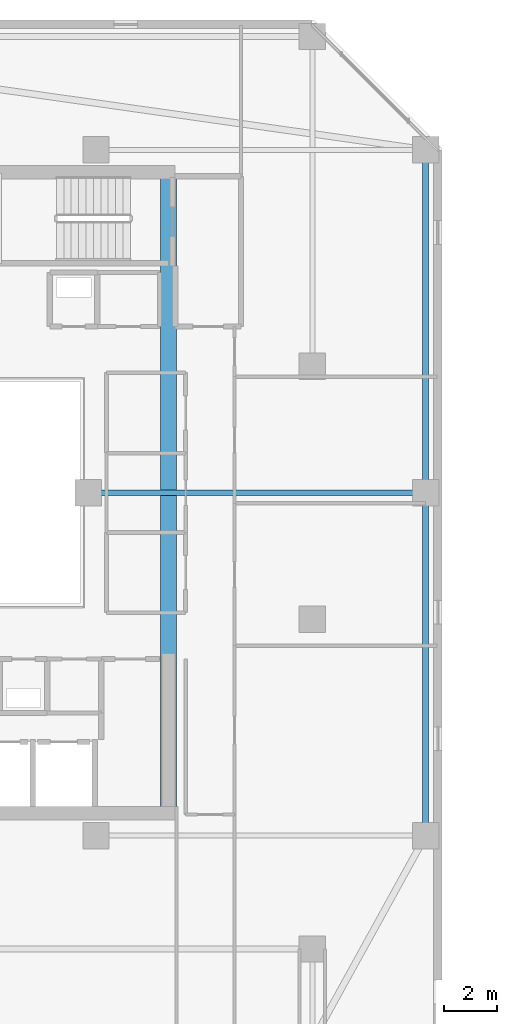
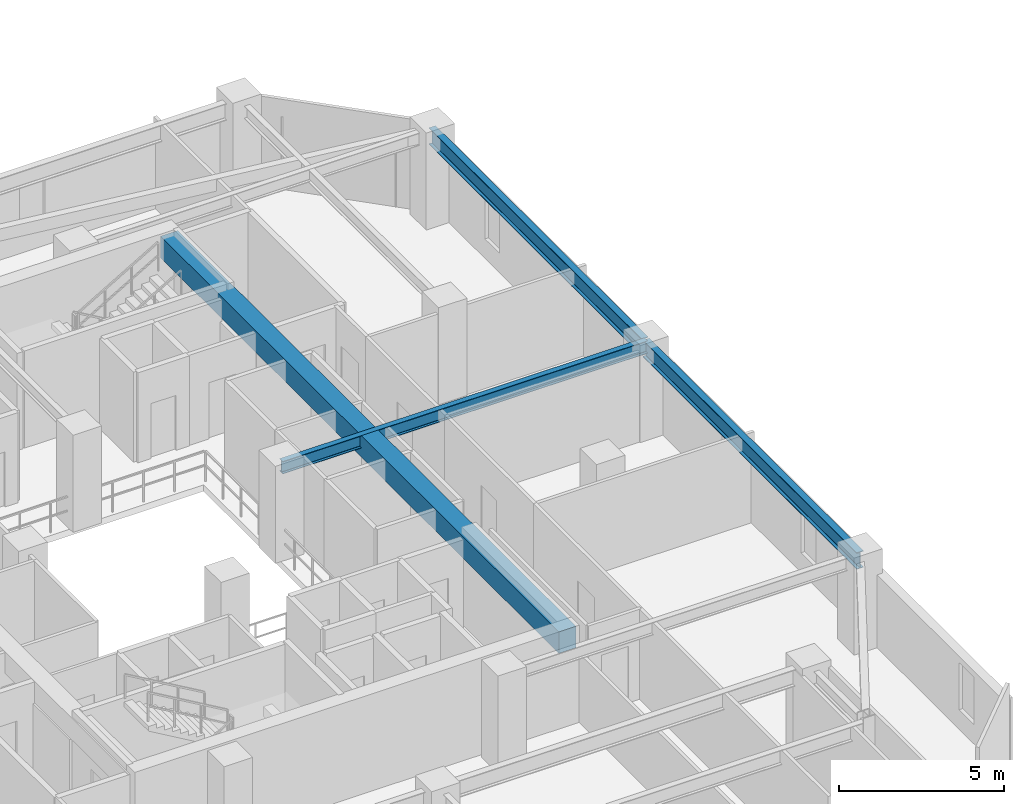
# One storey, part 6 of 32: 4 beams.
"""IFC4 building model written with IfcOpenShell, lengths in metres."""

from ifc_helpers import new_model, si_unit, direction, frame, origin, origin_2d, place, context, subcontext, project, spatial, rectangle, i_section, extrude, material, material_profile, profile_set, type_object, element, save


model = new_model("IFC4")

# Units and contexts
model_context = context("Model", 3, precision=1e-05, world=origin(), true_north=direction((0.0, 1.0)))
body_context = subcontext(model_context, "Body", "Model", "MODEL_VIEW")
ifc_project = project(units=[si_unit("LENGTHUNIT", "METRE"), si_unit("AREAUNIT", "SQUARE_METRE"), si_unit("VOLUMEUNIT", "CUBIC_METRE"), si_unit("PLANEANGLEUNIT", "RADIAN"), si_unit("MASSUNIT", "GRAM", prefix="KILO")], contexts=[model_context])

# Site, building, storey
site_placement = place(None, origin())
site = spatial("IfcSite", under=ifc_project, at=site_placement, CompositionType="ELEMENT")
building_placement = place(site_placement, origin())
building = spatial("IfcBuilding", under=site, at=building_placement, Name="Thornwick Lancets Civic Towers", CompositionType="ELEMENT")
storey_placement = place(building_placement, frame((0.0, 0.0, 247.5)))
storey = spatial("IfcBuildingStorey", under=building, at=storey_placement, Name="L66", CompositionType="ELEMENT", Elevation=247.5)

# Beams
ifc_material_1 = material(Name="Concrete C60/75", Category="concrete")
ifc_material_profile_1 = material_profile(ifc_material_1, rectangle(XDim=0.60009765625, YDim=0.800048828125, at=origin_2d()), Name="RC 600x800")
ifc_profile_set_1 = profile_set([ifc_material_profile_1], Name="Concrete C60/75")
beam_type_1 = type_object("IfcBeamType", Name="BM_COUP_RC800", PredefinedType="BEAM", material=ifc_profile_set_1)
beam_1_placement = place(storey_placement, frame((33.050048828125, 14.89990234375, 2.9599609375), z_axis=(0.0, 1.0, 0.0), x_axis=(-1.0, 0.0, 0.0)))
element("IfcBeam", 1, at=beam_1_placement, inside=storey, type_object=beam_type_1, Name="CB-L66-A1", PredefinedType="BEAM", context=body_context, shape_type="SweptSolid", body=[
    extrude(rectangle(XDim=0.60009765625, YDim=0.800048828125, at=origin_2d()), origin(), (0.0, 0.0, 1.0), 24.2001953125),
])
ifc_material_2 = material(Name="Steel S355JR", Category="steel")
ifc_material_profile_2 = material_profile(ifc_material_2, i_section(OverallWidth=0.230224609375, OverallDepth=0.6171875, WebThickness=0.01318359375, FlangeThickness=0.022216796875, FilletRadius=0.0126953125, at=origin_2d()), Name="UKB 610x229x140")
ifc_profile_set_2 = profile_set([ifc_material_profile_2], Name="Steel S355JR")
beam_type_2 = type_object("IfcBeamType", Name="BM_GIRD_610_140", PredefinedType="BEAM", material=ifc_profile_set_2)
beam_2_placement = place(storey_placement, frame((42.800048828125, 14.0, 3.051513671875), z_axis=(0.0, 1.0, 0.0), x_axis=(-1.0, 0.0, 0.0)))
element("IfcBeam", 2, at=beam_2_placement, inside=storey, type_object=beam_type_2, Name="BM-SPINE-L66-A-3-4", PredefinedType="BEAM", context=body_context, shape_type="SweptSolid", body=[
    extrude(i_section(OverallWidth=0.230224609375, OverallDepth=0.6171875, WebThickness=0.01318359375, FlangeThickness=0.022216796875, FilletRadius=0.0126953125, at=origin_2d()), origin(), (0.0, 0.0, 1.0), 13.0),
])
beam_3_placement = place(storey_placement, frame((42.800048828125, 27.080078125, 3.051513671875), z_axis=(0.0, 1.0, 0.0), x_axis=(-1.0, 0.0, 0.0)))
element("IfcBeam", 3, at=beam_3_placement, inside=storey, type_object=beam_type_2, Name="BM-SPINE-L66-A-4-5", PredefinedType="BEAM", context=body_context, shape_type="SweptSolid", body=[
    extrude(i_section(OverallWidth=0.230224609375, OverallDepth=0.6171875, WebThickness=0.01318359375, FlangeThickness=0.022216796875, FilletRadius=0.0126953125, at=origin_2d()), origin(), (0.0, 0.0, 1.0), 12.919921875),
])
ifc_material_profile_3 = material_profile(ifc_material_2, i_section(OverallWidth=0.19189453125, OverallDepth=0.46337890625, WebThickness=0.010498046875, FlangeThickness=0.017578125, FilletRadius=0.01025390625, at=origin_2d()), Name="UKB 457x191x89")
ifc_profile_set_3 = profile_set([ifc_material_profile_3], Name="Steel S355JR")
beam_type_3 = type_object("IfcBeamType", Name="BM_JOIST_457_89", PredefinedType="JOIST", material=ifc_profile_set_3)
beam_4_placement = place(storey_placement, frame((30.0, 27.0, 3.12841796875), z_axis=(1.0, 0.0, 0.0), x_axis=(0.0, 1.0, 0.0)))
element("IfcBeam", 4, at=beam_4_placement, inside=storey, type_object=beam_type_3, Name="BM-RADIN-L66-A05", PredefinedType="JOIST", context=body_context, shape_type="SweptSolid", body=[
    extrude(i_section(OverallWidth=0.19189453125, OverallDepth=0.46337890625, WebThickness=0.010498046875, FlangeThickness=0.017578125, FilletRadius=0.01025390625, at=origin_2d()), origin(), (0.0, 0.0, 1.0), 12.800048828125),
])

save(model, "model.ifc")
